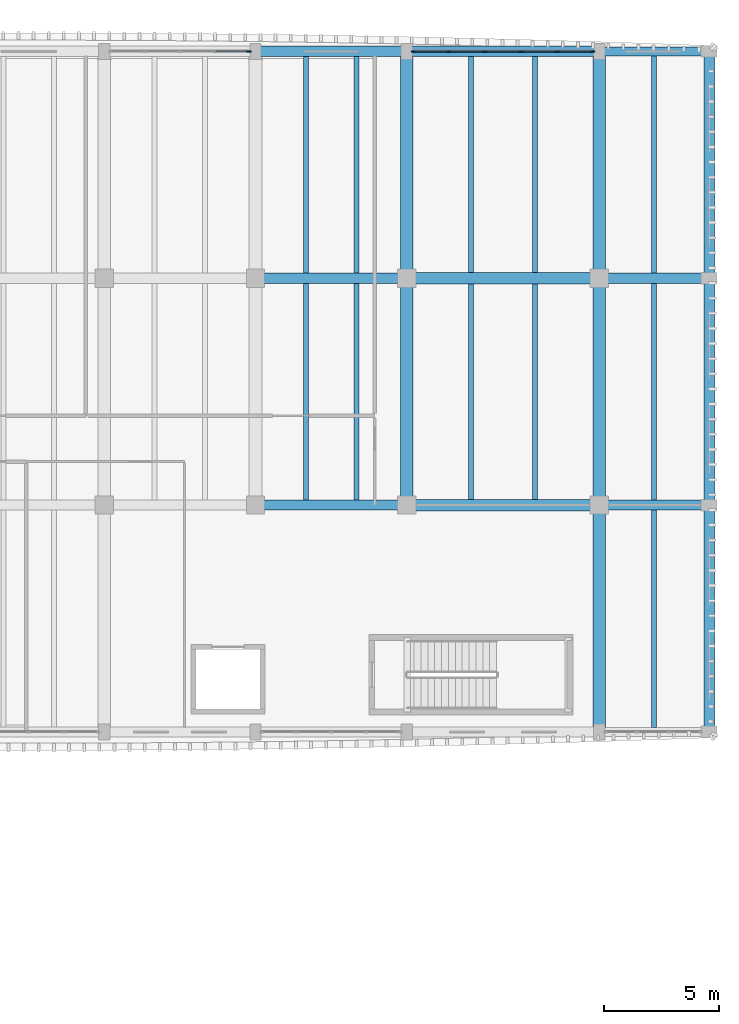
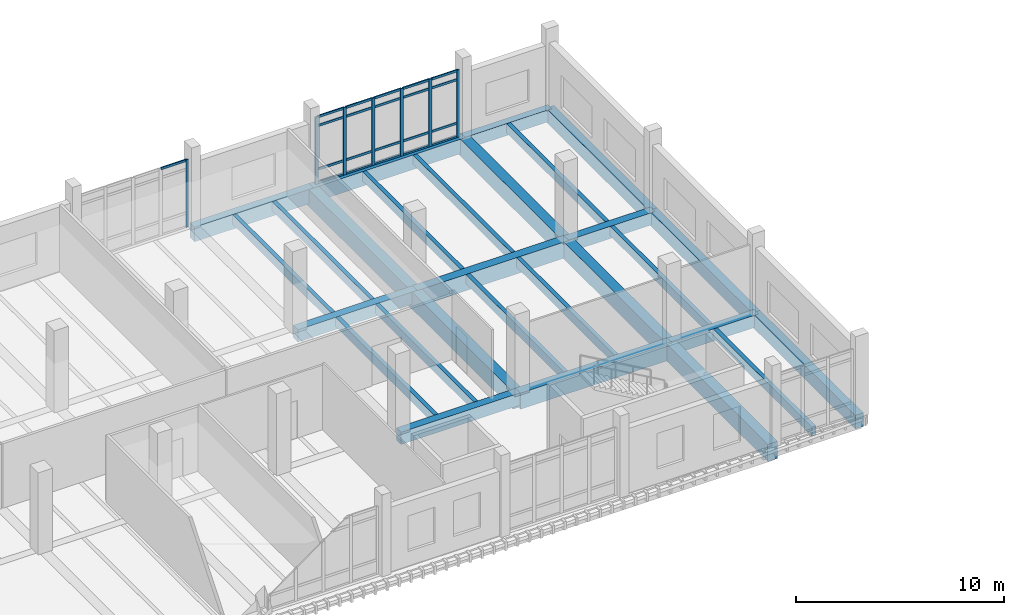
# One storey, part 62 of 125: 28 beams, 28 members, 2 elements without a shape of their own.
"""IFC4 building model written with IfcOpenShell, lengths in metres."""

from ifc_helpers import new_model, si_unit, direction, frame, origin, origin_2d, place, context, subcontext, project, spatial, rectangle, extrude, material, material_profile, profile_set, type_object, element, aggregate, save


model = new_model("IFC4")

# Units and contexts
model_context = context("Model", 3, precision=1e-05, world=origin(), true_north=direction((0.0, 1.0)))
body_context = subcontext(model_context, "Body", "Model", "MODEL_VIEW")
ifc_project = project(units=[si_unit("LENGTHUNIT", "METRE"), si_unit("AREAUNIT", "SQUARE_METRE"), si_unit("VOLUMEUNIT", "CUBIC_METRE"), si_unit("PLANEANGLEUNIT", "RADIAN"), si_unit("MASSUNIT", "GRAM", prefix="KILO")], contexts=[model_context])

# Site, building, storey
site_placement = place(None, origin())
site = spatial("IfcSite", under=ifc_project, at=site_placement, CompositionType="ELEMENT")
building_placement = place(site_placement, origin())
building = spatial("IfcBuilding", under=site, at=building_placement, Name="Dornvale Research Institute", CompositionType="ELEMENT")
storey_placement = place(building_placement, frame((0.0, 0.0, 5.39990234375)))
storey = spatial("IfcBuildingStorey", under=building, at=storey_placement, Name="L01", CompositionType="ELEMENT", Elevation=5.39990234375)

# Beams
ifc_material_1 = material(Name="Concrete f'c 45 MPa (C35/45)", Category="concrete")
ifc_material_profile_1 = material_profile(ifc_material_1, rectangle(XDim=0.449951171875, YDim=0.715087890625, at=origin_2d()), Name="RC 450x715")
ifc_profile_set_1 = profile_set([ifc_material_profile_1], Name="Concrete f'c 45 MPa (C35/45)")
beam_type_1 = type_object("IfcBeamType", Name="Beam_RC450x715_Lab", PredefinedType="BEAM", material=ifc_profile_set_1)
beam_1_placement = place(storey_placement, frame((158.39990234375, 102.300048828125, -0.357421875), z_axis=(1.0, 0.0, 0.0), x_axis=(0.0, 1.0, 0.0)))
element("IfcBeam", 1, at=beam_1_placement, inside=storey, type_object=beam_type_1, Name="L01 primary girder #369", PredefinedType="BEAM", context=body_context, shape_type="SweptSolid", body=[
    extrude(rectangle(XDim=0.449951171875, YDim=0.715087890625, at=origin_2d()), origin(), (0.0, 0.0, 1.0), 6.60009765625),
])
beam_2_placement = place(storey_placement, frame((173.39990234375, 102.300048828125, -0.357421875), z_axis=(1.0, 0.0, 0.0), x_axis=(0.0, 1.0, 0.0)))
element("IfcBeam", 2, at=beam_2_placement, inside=storey, type_object=beam_type_1, Name="L01 primary girder #371", PredefinedType="BEAM", context=body_context, shape_type="SweptSolid", body=[
    extrude(rectangle(XDim=0.449951171875, YDim=0.715087890625, at=origin_2d()), origin(), (0.0, 0.0, 1.0), 4.800048828125),
])
beam_3_placement = place(storey_placement, frame((158.39990234375, 112.199951171875, -0.357421875), z_axis=(1.0, 0.0, 0.0), x_axis=(0.0, 1.0, 0.0)))
element("IfcBeam", 3, at=beam_3_placement, inside=storey, type_object=beam_type_1, Name="L01 primary girder #378", PredefinedType="BEAM", context=body_context, shape_type="SweptSolid", body=[
    extrude(rectangle(XDim=0.449951171875, YDim=0.715087890625, at=origin_2d()), origin(), (0.0, 0.0, 1.0), 6.60009765625),
])
beam_4_placement = place(storey_placement, frame((173.39990234375, 112.199951171875, -0.357421875), z_axis=(1.0, 0.0, 0.0), x_axis=(0.0, 1.0, 0.0)))
element("IfcBeam", 4, at=beam_4_placement, inside=storey, type_object=beam_type_1, Name="L01 primary girder #380", PredefinedType="BEAM", context=body_context, shape_type="SweptSolid", body=[
    extrude(rectangle(XDim=0.449951171875, YDim=0.715087890625, at=origin_2d()), origin(), (0.0, 0.0, 1.0), 4.800048828125),
])
ifc_material_2 = material(Name="Concrete f'c 45 MPa (C35/45)", Category="concrete")
ifc_material_profile_2 = material_profile(ifc_material_2, rectangle(XDim=0.5, YDim=0.949951171875, at=origin_2d()), Name="RC 500x950")
ifc_profile_set_2 = profile_set([ifc_material_profile_2], Name="Concrete f'c 45 MPa (C35/45)")
beam_type_2 = type_object("IfcBeamType", Name="Beam_RC500x950_Girder", PredefinedType="BEAM", material=ifc_profile_set_2)
for number, where, z_axis, x_axis, name in (
    (5, (165.0, 102.300048828125, -0.474853515625), (1.0, 0.0, 0.0), (0.0, 1.0, 0.0), "L01 primary girder #370"),
    (6, (165.0, 112.199951171875, -0.474853515625), (1.0, 0.0, 0.0), (0.0, 1.0, 0.0), "L01 primary girder #379"),
):
    element("IfcBeam", number, at=place(storey_placement, frame(where, z_axis=z_axis, x_axis=x_axis)), inside=storey, type_object=beam_type_2, Name=name, PredefinedType="BEAM", context=body_context, shape_type="SweptSolid", body=[
        extrude(rectangle(XDim=0.5, YDim=0.949951171875, at=origin_2d()), origin(), (0.0, 0.0, 1.0), 8.39990234375),
    ])
ifc_material_3 = material(Name="Concrete f'c 45 MPa (C35/45)", Category="concrete")
ifc_material_profile_3 = material_profile(ifc_material_3, rectangle(XDim=0.550048828125, YDim=1.0, at=origin_2d()), Name="RC 550x1000")
ifc_profile_set_3 = profile_set([ifc_material_profile_3], Name="Concrete f'c 45 MPa (C35/45)")
beam_type_3 = type_object("IfcBeamType", Name="Beam_RC550x1000_Girder", PredefinedType="BEAM", material=ifc_profile_set_3)
beam_5_placement = place(storey_placement, frame((165.0, 102.300048828125, -0.5), z_axis=(0.0, 1.0, 0.0), x_axis=(-1.0, 0.0, 0.0)))
element("IfcBeam", 7, at=beam_5_placement, inside=storey, type_object=beam_type_3, Name="L01 transverse girder #409", PredefinedType="BEAM", context=body_context, shape_type="SweptSolid", body=[
    extrude(rectangle(XDim=0.550048828125, YDim=1.0, at=origin_2d()), origin(), (0.0, 0.0, 1.0), 9.89990234375),
])
for number, where, z_axis, x_axis, name in (
    (8, (165.0, 112.199951171875, -0.5), (0.0, 1.0, 0.0), (-1.0, 0.0, 0.0), "L01 transverse girder #410"),
    (9, (173.39990234375, 92.39990234375, -0.5), (0.0, 1.0, 0.0), (-1.0, 0.0, 0.0), "L01 transverse girder #411"),
):
    element("IfcBeam", number, at=place(storey_placement, frame(where, z_axis=z_axis, x_axis=x_axis)), inside=storey, type_object=beam_type_3, Name=name, PredefinedType="BEAM", context=body_context, shape_type="SweptSolid", body=[
        extrude(rectangle(XDim=0.550048828125, YDim=1.0, at=origin_2d()), origin(), (0.0, 0.0, 1.0), 9.900146484375),
    ])
beam_6_placement = place(storey_placement, frame((173.39990234375, 102.300048828125, -0.5), z_axis=(0.0, 1.0, 0.0), x_axis=(-1.0, 0.0, 0.0)))
element("IfcBeam", 10, at=beam_6_placement, inside=storey, type_object=beam_type_3, Name="L01 transverse girder #412", PredefinedType="BEAM", context=body_context, shape_type="SweptSolid", body=[
    extrude(rectangle(XDim=0.550048828125, YDim=1.0, at=origin_2d()), origin(), (0.0, 0.0, 1.0), 9.89990234375),
])
beam_7_placement = place(storey_placement, frame((173.39990234375, 112.199951171875, -0.5), z_axis=(0.0, 1.0, 0.0), x_axis=(-1.0, 0.0, 0.0)))
element("IfcBeam", 11, at=beam_7_placement, inside=storey, type_object=beam_type_3, Name="L01 transverse girder #413", PredefinedType="BEAM", context=body_context, shape_type="SweptSolid", body=[
    extrude(rectangle(XDim=0.550048828125, YDim=1.0, at=origin_2d()), origin(), (0.0, 0.0, 1.0), 9.900146484375),
])
ifc_material_4 = material(Name="Concrete f'c 45 MPa (C35/45)", Category="concrete")
ifc_material_profile_4 = material_profile(ifc_material_4, rectangle(XDim=0.219970703125, YDim=0.534912109375, at=origin_2d()), Name="RC 220x535")
ifc_profile_set_4 = profile_set([ifc_material_profile_4], Name="Concrete f'c 45 MPa (C35/45)")
beam_type_4 = type_object("IfcBeamType", Name="Joist_RC220x535_Waffle", PredefinedType="JOIST", material=ifc_profile_set_4)
for number, where, z_axis, x_axis, name in (
    (12, (160.60009765625, 102.52490234375, -0.267333984375), (0.0, 1.0, 0.0), (-1.0, 0.0, 0.0), "L01 laboratory waffle joist #204"),
    (13, (162.800048828125, 102.52490234375, -0.267333984375), (0.0, 1.0, 0.0), (-1.0, 0.0, 0.0), "L01 laboratory waffle joist #205"),
):
    element("IfcBeam", number, at=place(storey_placement, frame(where, z_axis=z_axis, x_axis=x_axis)), inside=storey, type_object=beam_type_4, Name=name, PredefinedType="JOIST", context=body_context, shape_type="SweptSolid", body=[
        extrude(rectangle(XDim=0.219970703125, YDim=0.534912109375, at=origin_2d()), origin(), (0.0, 0.0, 1.0), 9.4501953125),
    ])
for number, where, z_axis, x_axis, name in (
    (14, (160.60009765625, 112.425048828125, -0.267333984375), (0.0, 1.0, 0.0), (-1.0, 0.0, 0.0), "L01 laboratory waffle joist #206"),
    (15, (162.800048828125, 112.425048828125, -0.267333984375), (0.0, 1.0, 0.0), (-1.0, 0.0, 0.0), "L01 laboratory waffle joist #207"),
):
    element("IfcBeam", number, at=place(storey_placement, frame(where, z_axis=z_axis, x_axis=x_axis)), inside=storey, type_object=beam_type_4, Name=name, PredefinedType="JOIST", context=body_context, shape_type="SweptSolid", body=[
        extrude(rectangle(XDim=0.219970703125, YDim=0.534912109375, at=origin_2d()), origin(), (0.0, 0.0, 1.0), 9.449951171875),
    ])
for number, where, z_axis, x_axis, name in (
    (16, (167.800048828125, 102.550048828125, -0.267333984375), (0.0, 1.0, 0.0), (-1.0, 0.0, 0.0), "L01 laboratory waffle joist #208"),
    (17, (170.60009765625, 102.550048828125, -0.267333984375), (0.0, 1.0, 0.0), (-1.0, 0.0, 0.0), "L01 laboratory waffle joist #209"),
):
    element("IfcBeam", number, at=place(storey_placement, frame(where, z_axis=z_axis, x_axis=x_axis)), inside=storey, type_object=beam_type_4, Name=name, PredefinedType="JOIST", context=body_context, shape_type="SweptSolid", body=[
        extrude(rectangle(XDim=0.219970703125, YDim=0.534912109375, at=origin_2d()), origin(), (0.0, 0.0, 1.0), 9.39990234375),
    ])
for number, where, z_axis, x_axis, name in (
    (18, (167.800048828125, 112.449951171875, -0.267333984375), (0.0, 1.0, 0.0), (-1.0, 0.0, 0.0), "L01 laboratory waffle joist #210"),
    (19, (170.60009765625, 112.449951171875, -0.267333984375), (0.0, 1.0, 0.0), (-1.0, 0.0, 0.0), "L01 laboratory waffle joist #211"),
):
    element("IfcBeam", number, at=place(storey_placement, frame(where, z_axis=z_axis, x_axis=x_axis)), inside=storey, type_object=beam_type_4, Name=name, PredefinedType="JOIST", context=body_context, shape_type="SweptSolid", body=[
        extrude(rectangle(XDim=0.219970703125, YDim=0.534912109375, at=origin_2d()), origin(), (0.0, 0.0, 1.0), 9.425048828125),
    ])
beam_8_placement = place(storey_placement, frame((175.800048828125, 92.60009765625, -0.267333984375), z_axis=(0.0, 1.0, 0.0), x_axis=(-1.0, 0.0, 0.0)))
element("IfcBeam", 20, at=beam_8_placement, inside=storey, type_object=beam_type_4, Name="L01 laboratory waffle joist #212", PredefinedType="JOIST", context=body_context, shape_type="SweptSolid", body=[
    extrude(rectangle(XDim=0.219970703125, YDim=0.534912109375, at=origin_2d()), origin(), (0.0, 0.0, 1.0), 9.474853515625),
])
beam_9_placement = place(storey_placement, frame((175.800048828125, 102.52490234375, -0.267333984375), z_axis=(0.0, 1.0, 0.0), x_axis=(-1.0, 0.0, 0.0)))
element("IfcBeam", 21, at=beam_9_placement, inside=storey, type_object=beam_type_4, Name="L01 laboratory waffle joist #213", PredefinedType="JOIST", context=body_context, shape_type="SweptSolid", body=[
    extrude(rectangle(XDim=0.219970703125, YDim=0.534912109375, at=origin_2d()), origin(), (0.0, 0.0, 1.0), 9.4501953125),
])
beam_10_placement = place(storey_placement, frame((175.800048828125, 112.425048828125, -0.267333984375), z_axis=(0.0, 1.0, 0.0), x_axis=(-1.0, 0.0, 0.0)))
element("IfcBeam", 22, at=beam_10_placement, inside=storey, type_object=beam_type_4, Name="L01 laboratory waffle joist #214", PredefinedType="JOIST", context=body_context, shape_type="SweptSolid", body=[
    extrude(rectangle(XDim=0.219970703125, YDim=0.534912109375, at=origin_2d()), origin(), (0.0, 0.0, 1.0), 9.474853515625),
])

# Curtain wall, member
ifc_material_5 = material(Name="Low-E Argon Double Insulating Glazing Unit", Category="glass")
curtain_wall_type_1 = type_object("IfcCurtainWallType", Name="UnitisedCurtainWall_V4_6100x3950", PredefinedType="USERDEFINED", material=ifc_material_5)
curtain_wall_1_placement = place(storey_placement, origin())
curtain_wall_1 = element("IfcCurtainWall", 23, at=curtain_wall_1_placement, inside=storey, type_object=curtain_wall_type_1, Name="L01 V4 unitised curtain wall CW-11 #75", ObjectType="UNITISED CURTAIN WALL", PredefinedType="USERDEFINED")
ifc_material_6 = material(Name="Anodized Aluminum AA 6063-T6 Thermally Broken Frame", Category="aluminium")
ifc_material_profile_5 = material_profile(ifc_material_6, rectangle(XDim=0.06494140625, YDim=0.179931640625, at=origin_2d()), Name="ALU MULLION 65x180")
ifc_profile_set_5 = profile_set([ifc_material_profile_5], Name="Anodized Aluminum AA 6063-T6 Thermally Broken Frame")
member_type_1 = type_object("IfcMemberType", Name="Mullion_CW_65x180", PredefinedType="MULLION", material=ifc_profile_set_5)
member_1_placement = place(storey_placement, frame((158.117431640625, 122.10009765625, 0.0), z_axis=(0.0, 0.0, 1.0), x_axis=(0.0, 1.0, 0.0)))
member_1 = element("IfcMember", 24, at=member_1_placement, type_object=member_type_1, Name="CW-11 mullion 5", PredefinedType="MULLION", context=body_context, shape_type="SweptSolid", body=[
    extrude(rectangle(XDim=0.06494140625, YDim=0.179931640625, at=origin_2d()), origin(), (0.0, 0.0, 1.0), 3.9501953125),
])

# Curtain wall, members
ifc_material_7 = material(Name="Low-E Argon Double Insulating Glazing Unit", Category="glass")
curtain_wall_type_2 = type_object("IfcCurtainWallType", Name="UnitisedCurtainWall_V4_7900x3950", PredefinedType="USERDEFINED", material=ifc_material_7)
curtain_wall_2_placement = place(storey_placement, origin())
curtain_wall_2 = element("IfcCurtainWall", 25, at=curtain_wall_2_placement, inside=storey, type_object=curtain_wall_type_2, Name="L01 V4 unitised curtain wall CW-12 #76", ObjectType="UNITISED CURTAIN WALL", PredefinedType="USERDEFINED")
member_2_placement = place(storey_placement, frame((165.282470703125, 122.10009765625, 0.0), z_axis=(0.0, 0.0, 1.0), x_axis=(0.0, 1.0, 0.0)))
member_2 = element("IfcMember", 26, at=member_2_placement, type_object=member_type_1, Name="CW-12 mullion 1", PredefinedType="MULLION", context=body_context, shape_type="SweptSolid", body=[
    extrude(rectangle(XDim=0.06494140625, YDim=0.179931640625, at=origin_2d()), origin(), (0.0, 0.0, 1.0), 3.9501953125),
])
member_3_placement = place(storey_placement, frame((166.830078125, 122.10009765625, 0.0), z_axis=(0.0, 0.0, 1.0), x_axis=(0.0, 1.0, 0.0)))
member_3 = element("IfcMember", 27, at=member_3_placement, type_object=member_type_1, Name="CW-12 mullion 2", PredefinedType="MULLION", context=body_context, shape_type="SweptSolid", body=[
    extrude(rectangle(XDim=0.06494140625, YDim=0.179931640625, at=origin_2d()), origin(), (0.0, 0.0, 1.0), 3.9501953125),
])
member_4_placement = place(storey_placement, frame((168.409912109375, 122.10009765625, 0.0), z_axis=(0.0, 0.0, 1.0), x_axis=(0.0, 1.0, 0.0)))
member_4 = element("IfcMember", 28, at=member_4_placement, type_object=member_type_1, Name="CW-12 mullion 3", PredefinedType="MULLION", context=body_context, shape_type="SweptSolid", body=[
    extrude(rectangle(XDim=0.06494140625, YDim=0.179931640625, at=origin_2d()), origin(), (0.0, 0.0, 1.0), 3.9501953125),
])
member_5_placement = place(storey_placement, frame((169.989990234375, 122.10009765625, 0.0), z_axis=(0.0, 0.0, 1.0), x_axis=(0.0, 1.0, 0.0)))
member_5 = element("IfcMember", 29, at=member_5_placement, type_object=member_type_1, Name="CW-12 mullion 4", PredefinedType="MULLION", context=body_context, shape_type="SweptSolid", body=[
    extrude(rectangle(XDim=0.06494140625, YDim=0.179931640625, at=origin_2d()), origin(), (0.0, 0.0, 1.0), 3.9501953125),
])
member_6_placement = place(storey_placement, frame((171.570068359375, 122.10009765625, 0.0), z_axis=(0.0, 0.0, 1.0), x_axis=(0.0, 1.0, 0.0)))
member_6 = element("IfcMember", 30, at=member_6_placement, type_object=member_type_1, Name="CW-12 mullion 5", PredefinedType="MULLION", context=body_context, shape_type="SweptSolid", body=[
    extrude(rectangle(XDim=0.06494140625, YDim=0.179931640625, at=origin_2d()), origin(), (0.0, 0.0, 1.0), 3.9501953125),
])
member_7_placement = place(storey_placement, frame((173.117431640625, 122.10009765625, 0.0), z_axis=(0.0, 0.0, 1.0), x_axis=(0.0, 1.0, 0.0)))
member_7 = element("IfcMember", 31, at=member_7_placement, type_object=member_type_1, Name="CW-12 mullion 6", PredefinedType="MULLION", context=body_context, shape_type="SweptSolid", body=[
    extrude(rectangle(XDim=0.06494140625, YDim=0.179931640625, at=origin_2d()), origin(), (0.0, 0.0, 1.0), 3.9501953125),
])

# Beams
ifc_material_8 = material(Name="Concrete f'c 45 MPa (C35/45)", Category="concrete")
ifc_material_profile_6 = material_profile(ifc_material_8, rectangle(XDim=0.39990234375, YDim=0.699951171875, at=origin_2d()), Name="RC 400x700")
ifc_profile_set_6 = profile_set([ifc_material_profile_6], Name="Concrete f'c 45 MPa (C35/45)")
beam_type_5 = type_object("IfcBeamType", Name="Spandrel_RC400x700_Ext", PredefinedType="SPANDREL", material=ifc_profile_set_6)
beam_11_placement = place(storey_placement, frame((173.39990234375, 122.10009765625, -0.349853515625), z_axis=(1.0, 0.0, 0.0), x_axis=(0.0, 1.0, 0.0)))
element("IfcBeam", 32, at=beam_11_placement, inside=storey, type_object=beam_type_5, Name="L01 perimeter spandrel #389", PredefinedType="SPANDREL", context=body_context, shape_type="SweptSolid", body=[
    extrude(rectangle(XDim=0.39990234375, YDim=0.699951171875, at=origin_2d()), origin(), (0.0, 0.0, 1.0), 4.800048828125),
])
ifc_material_9 = material(Name="Concrete f'c 45 MPa (C35/45)", Category="concrete")
ifc_material_profile_7 = material_profile(ifc_material_9, rectangle(XDim=0.449951171875, YDim=0.800048828125, at=origin_2d()), Name="RC 450x800")
ifc_profile_set_7 = profile_set([ifc_material_profile_7], Name="Concrete f'c 45 MPa (C35/45)")
beam_type_6 = type_object("IfcBeamType", Name="Spandrel_RC450x800_Ext", PredefinedType="SPANDREL", material=ifc_profile_set_7)
beam_12_placement = place(storey_placement, frame((178.199951171875, 92.39990234375, -0.39990234375), z_axis=(0.0, 1.0, 0.0), x_axis=(-1.0, 0.0, 0.0)))
element("IfcBeam", 33, at=beam_12_placement, inside=storey, type_object=beam_type_6, Name="L01 perimeter spandrel #414", PredefinedType="SPANDREL", context=body_context, shape_type="SweptSolid", body=[
    extrude(rectangle(XDim=0.449951171875, YDim=0.800048828125, at=origin_2d()), origin(), (0.0, 0.0, 1.0), 9.900146484375),
])
beam_13_placement = place(storey_placement, frame((178.199951171875, 102.300048828125, -0.39990234375), z_axis=(0.0, 1.0, 0.0), x_axis=(-1.0, 0.0, 0.0)))
element("IfcBeam", 34, at=beam_13_placement, inside=storey, type_object=beam_type_6, Name="L01 perimeter spandrel #415", PredefinedType="SPANDREL", context=body_context, shape_type="SweptSolid", body=[
    extrude(rectangle(XDim=0.449951171875, YDim=0.800048828125, at=origin_2d()), origin(), (0.0, 0.0, 1.0), 9.89990234375),
])
beam_14_placement = place(storey_placement, frame((178.199951171875, 112.199951171875, -0.39990234375), z_axis=(0.0, 1.0, 0.0), x_axis=(-1.0, 0.0, 0.0)))
element("IfcBeam", 35, at=beam_14_placement, inside=storey, type_object=beam_type_6, Name="L01 perimeter spandrel #416", PredefinedType="SPANDREL", context=body_context, shape_type="SweptSolid", body=[
    extrude(rectangle(XDim=0.449951171875, YDim=0.800048828125, at=origin_2d()), origin(), (0.0, 0.0, 1.0), 9.900146484375),
])
ifc_material_10 = material(Name="Concrete f'c 45 MPa (C35/45)", Category="concrete")
ifc_material_profile_8 = material_profile(ifc_material_10, rectangle(XDim=0.449951171875, YDim=0.85009765625, at=origin_2d()), Name="RC 450x850")
ifc_profile_set_8 = profile_set([ifc_material_profile_8], Name="Concrete f'c 45 MPa (C35/45)")
beam_type_7 = type_object("IfcBeamType", Name="Spandrel_RC450x850_Ext", PredefinedType="SPANDREL", material=ifc_profile_set_8)
beam_15_placement = place(storey_placement, frame((158.39990234375, 122.10009765625, -0.4248046875), z_axis=(1.0, 0.0, 0.0), x_axis=(0.0, 1.0, 0.0)))
element("IfcBeam", 36, at=beam_15_placement, inside=storey, type_object=beam_type_7, Name="L01 perimeter spandrel #387", PredefinedType="SPANDREL", context=body_context, shape_type="SweptSolid", body=[
    extrude(rectangle(XDim=0.449951171875, YDim=0.85009765625, at=origin_2d()), origin(), (0.0, 0.0, 1.0), 6.60009765625),
])
beam_16_placement = place(storey_placement, frame((165.0, 122.10009765625, -0.4248046875), z_axis=(1.0, 0.0, 0.0), x_axis=(0.0, 1.0, 0.0)))
element("IfcBeam", 37, at=beam_16_placement, inside=storey, type_object=beam_type_7, Name="L01 perimeter spandrel #388", PredefinedType="SPANDREL", context=body_context, shape_type="SweptSolid", body=[
    extrude(rectangle(XDim=0.449951171875, YDim=0.85009765625, at=origin_2d()), origin(), (0.0, 0.0, 1.0), 8.39990234375),
])

# Member
ifc_material_11 = material(Name="Anodized Aluminum AA 6063-T6 Thermally Broken Frame", Category="aluminium")
ifc_material_profile_9 = material_profile(ifc_material_11, rectangle(XDim=0.06494140625, YDim=0.135009765625, at=origin_2d()), Name="ALU TRANSOM 65x135")
ifc_profile_set_9 = profile_set([ifc_material_profile_9], Name="Anodized Aluminum AA 6063-T6 Thermally Broken Frame")
member_type_2 = type_object("IfcMemberType", Name="Transom_CW_65x135", PredefinedType="USERDEFINED", material=ifc_profile_set_9)
member_8_placement = place(storey_placement, frame((156.657470703125, 122.10009765625, 3.91748046875), z_axis=(1.0, 0.0, 0.0), x_axis=(0.0, 1.0, 0.0)))
member_8 = element("IfcMember", 38, at=member_8_placement, type_object=member_type_2, Name="CW-11 transom 4.4", ObjectType="TRANSOM", PredefinedType="USERDEFINED", context=body_context, shape_type="SweptSolid", body=[
    extrude(rectangle(XDim=0.06494140625, YDim=0.135009765625, at=origin_2d()), origin(), (0.0, 0.0, 1.0), 1.427490234375),
])

aggregate(curtain_wall_1, [member_1, member_8])

member_9_placement = place(storey_placement, frame((165.31494140625, 122.10009765625, 0.03271484375), z_axis=(1.0, 0.0, 0.0), x_axis=(0.0, 1.0, 0.0)))
member_9 = element("IfcMember", 39, at=member_9_placement, type_object=member_type_2, Name="CW-12 transom 1.1", ObjectType="TRANSOM", PredefinedType="USERDEFINED", context=body_context, shape_type="SweptSolid", body=[
    extrude(rectangle(XDim=0.06494140625, YDim=0.135009765625, at=origin_2d()), origin(), (0.0, 0.0, 1.0), 1.482666015625),
])

member_10_placement = place(storey_placement, frame((165.31494140625, 122.10009765625, 0.85009765625), z_axis=(1.0, 0.0, 0.0), x_axis=(0.0, 1.0, 0.0)))
member_10 = element("IfcMember", 40, at=member_10_placement, type_object=member_type_2, Name="CW-12 transom 1.2", ObjectType="TRANSOM", PredefinedType="USERDEFINED", context=body_context, shape_type="SweptSolid", body=[
    extrude(rectangle(XDim=0.06494140625, YDim=0.135009765625, at=origin_2d()), origin(), (0.0, 0.0, 1.0), 1.482666015625),
])

member_11_placement = place(storey_placement, frame((165.31494140625, 122.10009765625, 3.400146484375), z_axis=(1.0, 0.0, 0.0), x_axis=(0.0, 1.0, 0.0)))
member_11 = element("IfcMember", 41, at=member_11_placement, type_object=member_type_2, Name="CW-12 transom 1.3", ObjectType="TRANSOM", PredefinedType="USERDEFINED", context=body_context, shape_type="SweptSolid", body=[
    extrude(rectangle(XDim=0.06494140625, YDim=0.135009765625, at=origin_2d()), origin(), (0.0, 0.0, 1.0), 1.482666015625),
])

member_12_placement = place(storey_placement, frame((165.31494140625, 122.10009765625, 3.91748046875), z_axis=(1.0, 0.0, 0.0), x_axis=(0.0, 1.0, 0.0)))
member_12 = element("IfcMember", 42, at=member_12_placement, type_object=member_type_2, Name="CW-12 transom 1.4", ObjectType="TRANSOM", PredefinedType="USERDEFINED", context=body_context, shape_type="SweptSolid", body=[
    extrude(rectangle(XDim=0.06494140625, YDim=0.135009765625, at=origin_2d()), origin(), (0.0, 0.0, 1.0), 1.482666015625),
])

member_13_placement = place(storey_placement, frame((166.862548828125, 122.10009765625, 0.03271484375), z_axis=(1.0, 0.0, 0.0), x_axis=(0.0, 1.0, 0.0)))
member_13 = element("IfcMember", 43, at=member_13_placement, type_object=member_type_2, Name="CW-12 transom 2.1", ObjectType="TRANSOM", PredefinedType="USERDEFINED", context=body_context, shape_type="SweptSolid", body=[
    extrude(rectangle(XDim=0.06494140625, YDim=0.135009765625, at=origin_2d()), origin(), (0.0, 0.0, 1.0), 1.514892578125),
])

member_14_placement = place(storey_placement, frame((166.862548828125, 122.10009765625, 0.85009765625), z_axis=(1.0, 0.0, 0.0), x_axis=(0.0, 1.0, 0.0)))
member_14 = element("IfcMember", 44, at=member_14_placement, type_object=member_type_2, Name="CW-12 transom 2.2", ObjectType="TRANSOM", PredefinedType="USERDEFINED", context=body_context, shape_type="SweptSolid", body=[
    extrude(rectangle(XDim=0.06494140625, YDim=0.135009765625, at=origin_2d()), origin(), (0.0, 0.0, 1.0), 1.514892578125),
])

member_15_placement = place(storey_placement, frame((166.862548828125, 122.10009765625, 3.400146484375), z_axis=(1.0, 0.0, 0.0), x_axis=(0.0, 1.0, 0.0)))
member_15 = element("IfcMember", 45, at=member_15_placement, type_object=member_type_2, Name="CW-12 transom 2.3", ObjectType="TRANSOM", PredefinedType="USERDEFINED", context=body_context, shape_type="SweptSolid", body=[
    extrude(rectangle(XDim=0.06494140625, YDim=0.135009765625, at=origin_2d()), origin(), (0.0, 0.0, 1.0), 1.514892578125),
])

member_16_placement = place(storey_placement, frame((166.862548828125, 122.10009765625, 3.91748046875), z_axis=(1.0, 0.0, 0.0), x_axis=(0.0, 1.0, 0.0)))
member_16 = element("IfcMember", 46, at=member_16_placement, type_object=member_type_2, Name="CW-12 transom 2.4", ObjectType="TRANSOM", PredefinedType="USERDEFINED", context=body_context, shape_type="SweptSolid", body=[
    extrude(rectangle(XDim=0.06494140625, YDim=0.135009765625, at=origin_2d()), origin(), (0.0, 0.0, 1.0), 1.514892578125),
])

member_17_placement = place(storey_placement, frame((168.4423828125, 122.10009765625, 0.03271484375), z_axis=(1.0, 0.0, 0.0), x_axis=(0.0, 1.0, 0.0)))
member_17 = element("IfcMember", 47, at=member_17_placement, type_object=member_type_2, Name="CW-12 transom 3.1", ObjectType="TRANSOM", PredefinedType="USERDEFINED", context=body_context, shape_type="SweptSolid", body=[
    extrude(rectangle(XDim=0.06494140625, YDim=0.135009765625, at=origin_2d()), origin(), (0.0, 0.0, 1.0), 1.51513671875),
])

member_18_placement = place(storey_placement, frame((168.4423828125, 122.10009765625, 0.85009765625), z_axis=(1.0, 0.0, 0.0), x_axis=(0.0, 1.0, 0.0)))
member_18 = element("IfcMember", 48, at=member_18_placement, type_object=member_type_2, Name="CW-12 transom 3.2", ObjectType="TRANSOM", PredefinedType="USERDEFINED", context=body_context, shape_type="SweptSolid", body=[
    extrude(rectangle(XDim=0.06494140625, YDim=0.135009765625, at=origin_2d()), origin(), (0.0, 0.0, 1.0), 1.51513671875),
])

member_19_placement = place(storey_placement, frame((168.4423828125, 122.10009765625, 3.400146484375), z_axis=(1.0, 0.0, 0.0), x_axis=(0.0, 1.0, 0.0)))
member_19 = element("IfcMember", 49, at=member_19_placement, type_object=member_type_2, Name="CW-12 transom 3.3", ObjectType="TRANSOM", PredefinedType="USERDEFINED", context=body_context, shape_type="SweptSolid", body=[
    extrude(rectangle(XDim=0.06494140625, YDim=0.135009765625, at=origin_2d()), origin(), (0.0, 0.0, 1.0), 1.51513671875),
])

member_20_placement = place(storey_placement, frame((168.4423828125, 122.10009765625, 3.91748046875), z_axis=(1.0, 0.0, 0.0), x_axis=(0.0, 1.0, 0.0)))
member_20 = element("IfcMember", 50, at=member_20_placement, type_object=member_type_2, Name="CW-12 transom 3.4", ObjectType="TRANSOM", PredefinedType="USERDEFINED", context=body_context, shape_type="SweptSolid", body=[
    extrude(rectangle(XDim=0.06494140625, YDim=0.135009765625, at=origin_2d()), origin(), (0.0, 0.0, 1.0), 1.51513671875),
])

member_21_placement = place(storey_placement, frame((170.0224609375, 122.10009765625, 0.03271484375), z_axis=(1.0, 0.0, 0.0), x_axis=(0.0, 1.0, 0.0)))
member_21 = element("IfcMember", 51, at=member_21_placement, type_object=member_type_2, Name="CW-12 transom 4.1", ObjectType="TRANSOM", PredefinedType="USERDEFINED", context=body_context, shape_type="SweptSolid", body=[
    extrude(rectangle(XDim=0.06494140625, YDim=0.135009765625, at=origin_2d()), origin(), (0.0, 0.0, 1.0), 1.51513671875),
])

member_22_placement = place(storey_placement, frame((170.0224609375, 122.10009765625, 0.85009765625), z_axis=(1.0, 0.0, 0.0), x_axis=(0.0, 1.0, 0.0)))
member_22 = element("IfcMember", 52, at=member_22_placement, type_object=member_type_2, Name="CW-12 transom 4.2", ObjectType="TRANSOM", PredefinedType="USERDEFINED", context=body_context, shape_type="SweptSolid", body=[
    extrude(rectangle(XDim=0.06494140625, YDim=0.135009765625, at=origin_2d()), origin(), (0.0, 0.0, 1.0), 1.51513671875),
])

member_23_placement = place(storey_placement, frame((170.0224609375, 122.10009765625, 3.400146484375), z_axis=(1.0, 0.0, 0.0), x_axis=(0.0, 1.0, 0.0)))
member_23 = element("IfcMember", 53, at=member_23_placement, type_object=member_type_2, Name="CW-12 transom 4.3", ObjectType="TRANSOM", PredefinedType="USERDEFINED", context=body_context, shape_type="SweptSolid", body=[
    extrude(rectangle(XDim=0.06494140625, YDim=0.135009765625, at=origin_2d()), origin(), (0.0, 0.0, 1.0), 1.51513671875),
])

member_24_placement = place(storey_placement, frame((170.0224609375, 122.10009765625, 3.91748046875), z_axis=(1.0, 0.0, 0.0), x_axis=(0.0, 1.0, 0.0)))
member_24 = element("IfcMember", 54, at=member_24_placement, type_object=member_type_2, Name="CW-12 transom 4.4", ObjectType="TRANSOM", PredefinedType="USERDEFINED", context=body_context, shape_type="SweptSolid", body=[
    extrude(rectangle(XDim=0.06494140625, YDim=0.135009765625, at=origin_2d()), origin(), (0.0, 0.0, 1.0), 1.51513671875),
])

member_25_placement = place(storey_placement, frame((171.6025390625, 122.10009765625, 0.03271484375), z_axis=(1.0, 0.0, 0.0), x_axis=(0.0, 1.0, 0.0)))
member_25 = element("IfcMember", 55, at=member_25_placement, type_object=member_type_2, Name="CW-12 transom 5.1", ObjectType="TRANSOM", PredefinedType="USERDEFINED", context=body_context, shape_type="SweptSolid", body=[
    extrude(rectangle(XDim=0.06494140625, YDim=0.135009765625, at=origin_2d()), origin(), (0.0, 0.0, 1.0), 1.482421875),
])

member_26_placement = place(storey_placement, frame((171.6025390625, 122.10009765625, 0.85009765625), z_axis=(1.0, 0.0, 0.0), x_axis=(0.0, 1.0, 0.0)))
member_26 = element("IfcMember", 56, at=member_26_placement, type_object=member_type_2, Name="CW-12 transom 5.2", ObjectType="TRANSOM", PredefinedType="USERDEFINED", context=body_context, shape_type="SweptSolid", body=[
    extrude(rectangle(XDim=0.06494140625, YDim=0.135009765625, at=origin_2d()), origin(), (0.0, 0.0, 1.0), 1.482421875),
])

member_27_placement = place(storey_placement, frame((171.6025390625, 122.10009765625, 3.400146484375), z_axis=(1.0, 0.0, 0.0), x_axis=(0.0, 1.0, 0.0)))
member_27 = element("IfcMember", 57, at=member_27_placement, type_object=member_type_2, Name="CW-12 transom 5.3", ObjectType="TRANSOM", PredefinedType="USERDEFINED", context=body_context, shape_type="SweptSolid", body=[
    extrude(rectangle(XDim=0.06494140625, YDim=0.135009765625, at=origin_2d()), origin(), (0.0, 0.0, 1.0), 1.482421875),
])

member_28_placement = place(storey_placement, frame((171.6025390625, 122.10009765625, 3.91748046875), z_axis=(1.0, 0.0, 0.0), x_axis=(0.0, 1.0, 0.0)))
member_28 = element("IfcMember", 58, at=member_28_placement, type_object=member_type_2, Name="CW-12 transom 5.4", ObjectType="TRANSOM", PredefinedType="USERDEFINED", context=body_context, shape_type="SweptSolid", body=[
    extrude(rectangle(XDim=0.06494140625, YDim=0.135009765625, at=origin_2d()), origin(), (0.0, 0.0, 1.0), 1.482421875),
])

aggregate(curtain_wall_2, [member_2, member_3, member_4, member_5, member_6, member_7, member_9, member_10, member_11, member_12, member_13, member_14, member_15, member_16, member_17, member_18, member_19, member_20, member_21, member_22, member_23, member_24, member_25, member_26, member_27, member_28])

save(model, "model.ifc")
